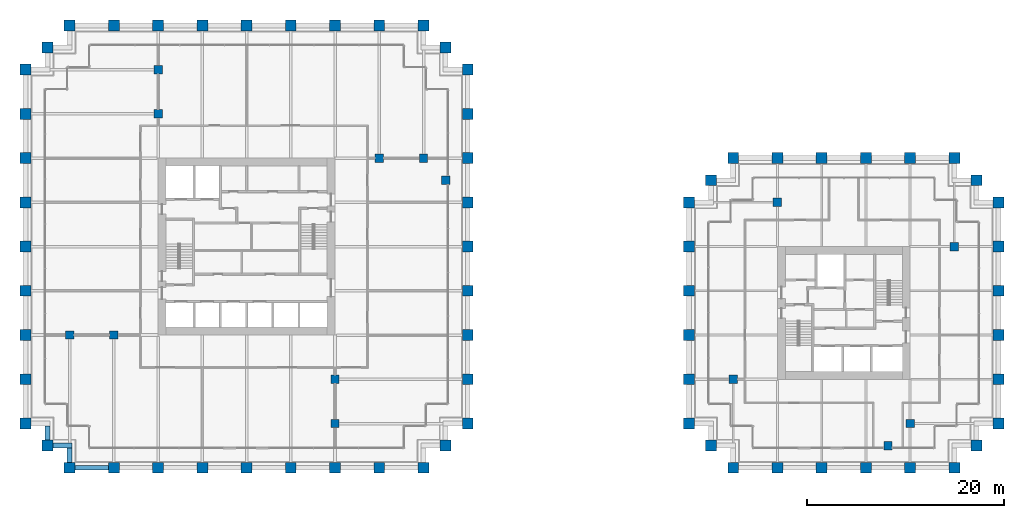
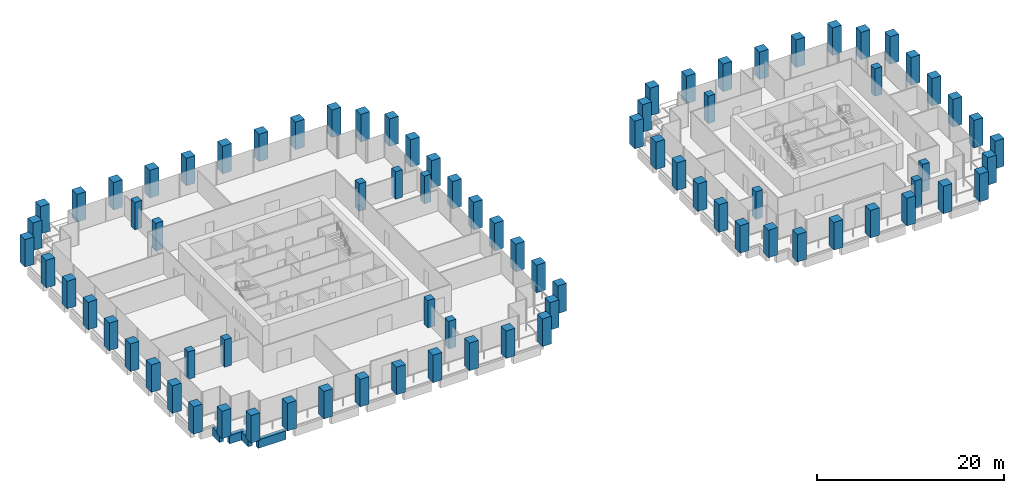
# One storey, part 1 of 56: 82 columns, 4 beams.
"""IFC4 building model written with IfcOpenShell, lengths in metres."""

from ifc_helpers import new_model, si_unit, direction, frame, origin, origin_2d, place, context, subcontext, project, spatial, rectangle, extrude, material, material_profile, profile_set, type_object, element, save


model = new_model("IFC4")

# Units and contexts
model_context = context("Model", 3, precision=1e-05, world=origin(), true_north=direction((0.0, 1.0)))
body_context = subcontext(model_context, "Body", "Model", "MODEL_VIEW")
ifc_project = project(units=[si_unit("LENGTHUNIT", "METRE"), si_unit("AREAUNIT", "SQUARE_METRE"), si_unit("VOLUMEUNIT", "CUBIC_METRE"), si_unit("PLANEANGLEUNIT", "RADIAN"), si_unit("MASSUNIT", "GRAM", prefix="KILO")], contexts=[model_context])

# Site, building, storey
site_placement = place(None, origin())
site = spatial("IfcSite", under=ifc_project, at=site_placement, CompositionType="ELEMENT")
building_placement = place(site_placement, origin())
building = spatial("IfcBuilding", under=site, at=building_placement, Name="Altepetl Exchange Towers", CompositionType="ELEMENT")
storey_placement = place(building_placement, frame((0.0, 0.0, 79.800048828125)))
storey = spatial("IfcBuildingStorey", under=building, at=storey_placement, Name="L19", CompositionType="ELEMENT", Elevation=79.800048828125)

# Columns
ifc_material_1 = material(Name="Concrete C70/85", Category="concrete")
ifc_material_profile_1 = material_profile(ifc_material_1, rectangle(XDim=0.85009765625, YDim=0.85009765625, at=origin_2d()), Name="850 x 850")
ifc_profile_set_1 = profile_set([ifc_material_profile_1], Name="Concrete C70/85")
column_type_1 = type_object("IfcColumnType", Name="Interior column 850", PredefinedType="COLUMN", material=ifc_profile_set_1)
for number, where, name in (
    (1, (31.5, 40.5, 0.0), "col:A:L19:040"),
    (2, (36.0, 40.5, 0.0), "col:A:L19:041"),
    (3, (40.5, 63.0, 0.0), "col:A:L19:042"),
    (4, (40.5, 67.5, 0.0), "col:A:L19:043"),
    (5, (58.5, 31.5, 0.0), "col:A:L19:044"),
    (6, (58.5, 36.0, 0.0), "col:A:L19:045"),
    (7, (63.0, 58.5, 0.0), "col:A:L19:046"),
    (8, (67.5, 58.5, 0.0), "col:A:L19:047"),
    (9, (69.75, 56.25, 0.0), "col:A:L19:048"),
    (10, (99.0, 36.0, 0.0), "col:B:L19:028"),
    (11, (103.5, 54.0, 0.0), "col:B:L19:029"),
    (12, (114.75, 29.25, 0.0), "col:B:L19:030"),
    (13, (117.0, 31.5, 0.0), "col:B:L19:031"),
    (14, (121.5, 49.5, 0.0), "col:B:L19:032"),
):
    element("IfcColumn", number, at=place(storey_placement, frame(where)), inside=storey, type_object=column_type_1, Name=name, PredefinedType="COLUMN", context=body_context, shape_type="SweptSolid", body=[
        extrude(rectangle(XDim=0.85009765625, YDim=0.85009765625, at=origin_2d()), origin(), (0.0, 0.0, 1.0), 3.599853515625),
    ])
ifc_material_2 = material(Name="Concrete C70/85 precast with cantera amarilla facing", Category="concrete")
ifc_material_profile_2 = material_profile(ifc_material_2, rectangle(XDim=1.10009765625, YDim=1.10009765625, at=origin_2d()), Name="1100 x 1100")
ifc_profile_set_2 = profile_set([ifc_material_profile_2], Name="Concrete C70/85 precast with cantera amarilla facing")
column_type_2 = type_object("IfcColumnType", Name="Perimeter column 1100 cantera amarilla", PredefinedType="COLUMN", material=ifc_profile_set_2)
for number, where, name in (
    (15, (58.5, 27.0, 0.0), "col:A:L19:006"),
    (16, (63.0, 27.0, 0.0), "col:A:L19:007"),
    (17, (67.5, 27.0, 0.0), "col:A:L19:008"),
    (18, (69.75, 29.25, 0.0), "col:A:L19:009"),
    (19, (72.0, 31.5, 0.0), "col:A:L19:010"),
    (20, (72.0, 36.0, 0.0), "col:A:L19:011"),
    (21, (72.0, 40.5, 0.0), "col:A:L19:012"),
    (22, (72.0, 45.0, 0.0), "col:A:L19:013"),
    (23, (72.0, 49.5, 0.0), "col:A:L19:014"),
    (24, (72.0, 54.0, 0.0), "col:A:L19:015"),
    (25, (126.0, 49.5, 0.0), "col:B:L19:011"),
    (26, (126.0, 54.0, 0.0), "col:B:L19:012"),
    (27, (123.75, 56.25, 0.0), "col:B:L19:013"),
    (28, (121.5, 58.5, 0.0), "col:B:L19:014"),
    (29, (117.0, 58.5, 0.0), "col:B:L19:015"),
    (30, (112.5, 58.5, 0.0), "col:B:L19:016"),
    (31, (108.0, 58.5, 0.0), "col:B:L19:017"),
):
    element("IfcColumn", number, at=place(storey_placement, frame(where)), inside=storey, type_object=column_type_2, Name=name, PredefinedType="COLUMN", context=body_context, shape_type="SweptSolid", body=[
        extrude(rectangle(XDim=1.10009765625, YDim=1.10009765625, at=origin_2d()), origin(), (0.0, 0.0, 1.0), 3.599853515625),
    ])
ifc_material_3 = material(Name="Concrete C70/85 precast with cantera blanca facing", Category="concrete")
ifc_material_profile_3 = material_profile(ifc_material_3, rectangle(XDim=1.10009765625, YDim=1.10009765625, at=origin_2d()), Name="1100 x 1100")
ifc_profile_set_3 = profile_set([ifc_material_profile_3], Name="Concrete C70/85 precast with cantera blanca facing")
column_type_3 = type_object("IfcColumnType", Name="Perimeter column 1100 cantera blanca", PredefinedType="COLUMN", material=ifc_profile_set_3)
for number, where, name in (
    (32, (31.5, 27.0, 0.0), "col:A:L19:000"),
    (33, (36.0, 27.0, 0.0), "col:A:L19:001"),
    (34, (40.5, 27.0, 0.0), "col:A:L19:002"),
    (35, (45.0, 27.0, 0.0), "col:A:L19:003"),
    (36, (49.5, 27.0, 0.0), "col:A:L19:004"),
    (37, (54.0, 27.0, 0.0), "col:A:L19:005"),
    (38, (27.0, 36.0, 0.0), "col:A:L19:037"),
    (39, (27.0, 31.5, 0.0), "col:A:L19:038"),
    (40, (29.25, 29.25, 0.0), "col:A:L19:039"),
    (41, (117.0, 27.0, 0.0), "col:B:L19:004"),
    (42, (121.5, 27.0, 0.0), "col:B:L19:005"),
    (43, (123.75, 29.25, 0.0), "col:B:L19:006"),
    (44, (126.0, 31.5, 0.0), "col:B:L19:007"),
    (45, (126.0, 36.0, 0.0), "col:B:L19:008"),
    (46, (126.0, 40.5, 0.0), "col:B:L19:009"),
    (47, (126.0, 45.0, 0.0), "col:B:L19:010"),
):
    element("IfcColumn", number, at=place(storey_placement, frame(where)), inside=storey, type_object=column_type_3, Name=name, PredefinedType="COLUMN", context=body_context, shape_type="SweptSolid", body=[
        extrude(rectangle(XDim=1.10009765625, YDim=1.10009765625, at=origin_2d()), origin(), (0.0, 0.0, 1.0), 3.599853515625),
    ])
ifc_material_4 = material(Name="Concrete C70/85 precast with cantera rosa facing", Category="concrete")
ifc_material_profile_4 = material_profile(ifc_material_4, rectangle(XDim=1.10009765625, YDim=1.10009765625, at=origin_2d()), Name="1100 x 1100")
ifc_profile_set_4 = profile_set([ifc_material_profile_4], Name="Concrete C70/85 precast with cantera rosa facing")
column_type_4 = type_object("IfcColumnType", Name="Perimeter column 1100 cantera rosa", PredefinedType="COLUMN", material=ifc_profile_set_4)
for number, where, name in (
    (48, (72.0, 58.5, 0.0), "col:A:L19:016"),
    (49, (72.0, 63.0, 0.0), "col:A:L19:017"),
    (50, (72.0, 67.5, 0.0), "col:A:L19:018"),
    (51, (69.75, 69.75, 0.0), "col:A:L19:019"),
    (52, (67.5, 72.0, 0.0), "col:A:L19:020"),
    (53, (63.0, 72.0, 0.0), "col:A:L19:021"),
    (54, (58.5, 72.0, 0.0), "col:A:L19:022"),
    (55, (54.0, 72.0, 0.0), "col:A:L19:023"),
    (56, (49.5, 72.0, 0.0), "col:A:L19:024"),
    (57, (45.0, 72.0, 0.0), "col:A:L19:025"),
    (58, (103.5, 58.5, 0.0), "col:B:L19:018"),
    (59, (99.0, 58.5, 0.0), "col:B:L19:019"),
    (60, (96.75, 56.25, 0.0), "col:B:L19:020"),
    (61, (94.5, 54.0, 0.0), "col:B:L19:021"),
    (62, (94.5, 49.5, 0.0), "col:B:L19:022"),
    (63, (94.5, 45.0, 0.0), "col:B:L19:023"),
    (64, (94.5, 40.5, 0.0), "col:B:L19:024"),
    (65, (94.5, 36.0, 0.0), "col:B:L19:025"),
):
    element("IfcColumn", number, at=place(storey_placement, frame(where)), inside=storey, type_object=column_type_4, Name=name, PredefinedType="COLUMN", context=body_context, shape_type="SweptSolid", body=[
        extrude(rectangle(XDim=1.10009765625, YDim=1.10009765625, at=origin_2d()), origin(), (0.0, 0.0, 1.0), 3.599853515625),
    ])
ifc_material_5 = material(Name="Concrete C70/85 precast with tezontle facing", Category="concrete")
ifc_material_profile_5 = material_profile(ifc_material_5, rectangle(XDim=1.10009765625, YDim=1.10009765625, at=origin_2d()), Name="1100 x 1100")
ifc_profile_set_5 = profile_set([ifc_material_profile_5], Name="Concrete C70/85 precast with tezontle facing")
column_type_5 = type_object("IfcColumnType", Name="Perimeter column 1100 tezontle", PredefinedType="COLUMN", material=ifc_profile_set_5)
for number, where, name in (
    (66, (40.5, 72.0, 0.0), "col:A:L19:026"),
    (67, (36.0, 72.0, 0.0), "col:A:L19:027"),
    (68, (31.5, 72.0, 0.0), "col:A:L19:028"),
    (69, (29.25, 69.75, 0.0), "col:A:L19:029"),
    (70, (27.0, 67.5, 0.0), "col:A:L19:030"),
    (71, (27.0, 63.0, 0.0), "col:A:L19:031"),
    (72, (27.0, 58.5, 0.0), "col:A:L19:032"),
    (73, (27.0, 54.0, 0.0), "col:A:L19:033"),
    (74, (27.0, 49.5, 0.0), "col:A:L19:034"),
    (75, (27.0, 45.0, 0.0), "col:A:L19:035"),
    (76, (27.0, 40.5, 0.0), "col:A:L19:036"),
    (77, (99.0, 27.0, 0.0), "col:B:L19:000"),
    (78, (103.5, 27.0, 0.0), "col:B:L19:001"),
    (79, (108.0, 27.0, 0.0), "col:B:L19:002"),
    (80, (112.5, 27.0, 0.0), "col:B:L19:003"),
    (81, (94.5, 31.5, 0.0), "col:B:L19:026"),
    (82, (96.75, 29.25, 0.0), "col:B:L19:027"),
):
    element("IfcColumn", number, at=place(storey_placement, frame(where)), inside=storey, type_object=column_type_5, Name=name, PredefinedType="COLUMN", context=body_context, shape_type="SweptSolid", body=[
        extrude(rectangle(XDim=1.10009765625, YDim=1.10009765625, at=origin_2d()), origin(), (0.0, 0.0, 1.0), 3.599853515625),
    ])

# Beams
ifc_material_6 = material(Name="Concrete C50/60 precast with cantera blanca facing", Category="concrete")
ifc_material_profile_6 = material_profile(ifc_material_6, rectangle(XDim=0.5, YDim=1.10009765625, at=origin_2d()), Name="500 x 1100")
ifc_profile_set_6 = profile_set([ifc_material_profile_6], Name="Concrete C50/60 precast with cantera blanca facing")
beam_type = type_object("IfcBeamType", Name="Spandrel beam 500x1100 cantera blanca", PredefinedType="SPANDREL", material=ifc_profile_set_6)
beam_1_placement = place(storey_placement, frame((32.050048828125, 27.0, -0.699951171875), z_axis=(1.0, 0.0, 0.0), x_axis=(0.0, 1.0, 0.0)))
element("IfcBeam", 83, at=beam_1_placement, inside=storey, type_object=beam_type, Name="sp:A:L19:000", PredefinedType="SPANDREL", context=body_context, shape_type="SweptSolid", body=[
    extrude(rectangle(XDim=0.5, YDim=1.10009765625, at=origin_2d()), origin(), (0.0, 0.0, 1.0), 3.39990234375),
])
beam_2_placement = place(storey_placement, frame((29.25, 31.25, -0.699951171875), z_axis=(0.0, -1.0, 0.0), x_axis=(1.0, 0.0, 0.0)))
element("IfcBeam", 84, at=beam_2_placement, inside=storey, type_object=beam_type, Name="sp:A:L19:045", PredefinedType="SPANDREL", context=body_context, shape_type="SweptSolid", body=[
    extrude(rectangle(XDim=0.5, YDim=1.10009765625, at=origin_2d()), origin(), (0.0, 0.0, 1.0), 1.449951171875),
])
beam_3_placement = place(storey_placement, frame((29.800048828125, 29.25, -0.699951171875), z_axis=(1.0, 0.0, 0.0), x_axis=(0.0, 1.0, 0.0)))
element("IfcBeam", 85, at=beam_3_placement, inside=storey, type_object=beam_type, Name="sp:A:L19:046", PredefinedType="SPANDREL", context=body_context, shape_type="SweptSolid", body=[
    extrude(rectangle(XDim=0.5, YDim=1.10009765625, at=origin_2d()), origin(), (0.0, 0.0, 1.0), 1.949951171875),
])
beam_4_placement = place(storey_placement, frame((31.5, 29.0, -0.699951171875), z_axis=(0.0, -1.0, 0.0), x_axis=(1.0, 0.0, 0.0)))
element("IfcBeam", 86, at=beam_4_placement, inside=storey, type_object=beam_type, Name="sp:A:L19:047", PredefinedType="SPANDREL", context=body_context, shape_type="SweptSolid", body=[
    extrude(rectangle(XDim=0.5, YDim=1.10009765625, at=origin_2d()), origin(), (0.0, 0.0, 1.0), 1.449951171875),
])

save(model, "model.ifc")
